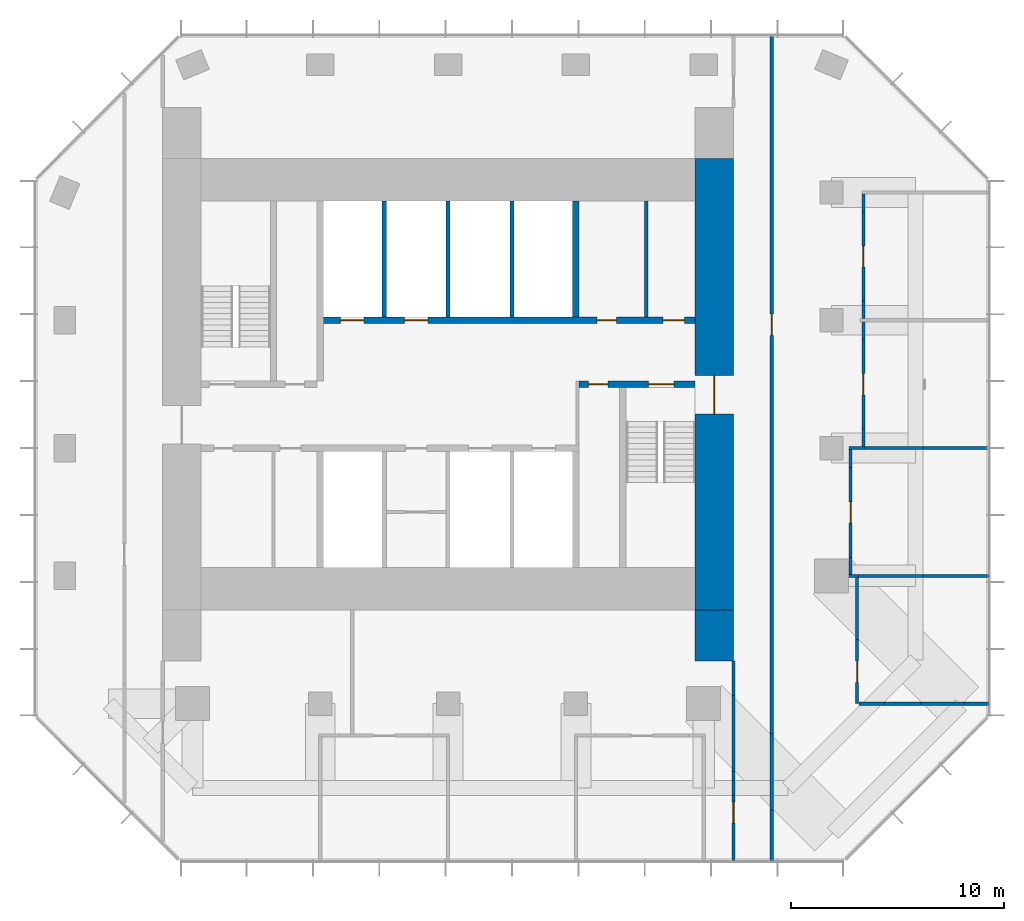
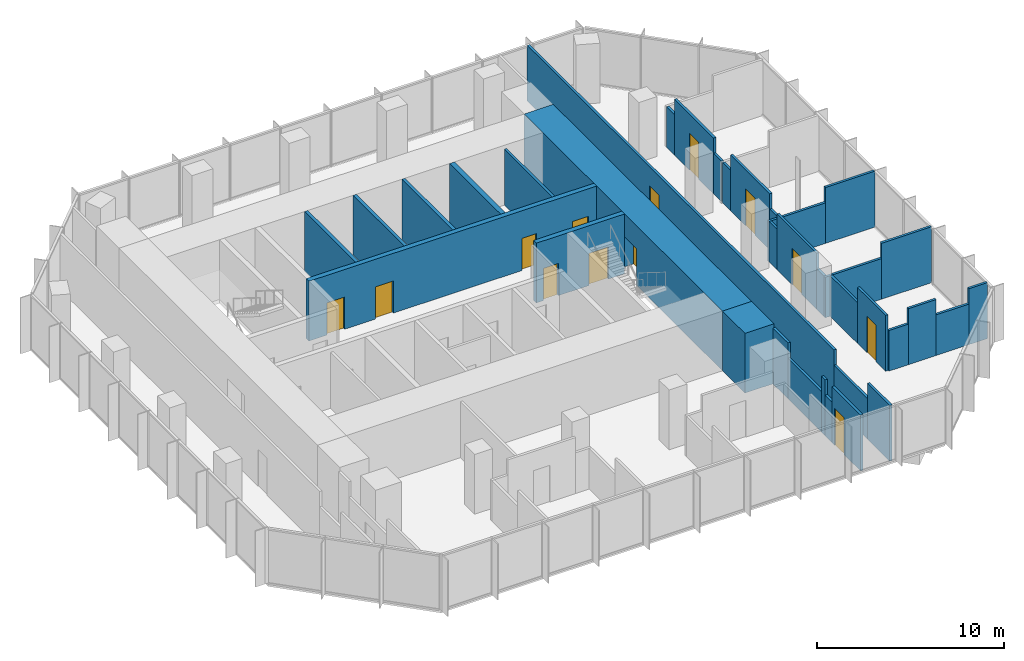
# One storey, part 9 of 11: 38 walls, 13 doors, 13 openings.
"""IFC4 building model written with IfcOpenShell, lengths in metres."""

from ifc_helpers import new_model, si_unit, direction, frame, frame_2d, origin, place, context, subcontext, project, spatial, rectangle, extrude, material, layer, layer_set, type_object, element, fill, save


model = new_model("IFC4")

# Units and contexts
model_context = context("Model", 3, precision=1e-05, world=origin(), true_north=direction((0.0, 1.0)))
body_context = subcontext(model_context, "Body", "Model", "MODEL_VIEW")
ifc_project = project(units=[si_unit("LENGTHUNIT", "METRE"), si_unit("AREAUNIT", "SQUARE_METRE"), si_unit("VOLUMEUNIT", "CUBIC_METRE"), si_unit("PLANEANGLEUNIT", "RADIAN"), si_unit("MASSUNIT", "GRAM", prefix="KILO")], contexts=[model_context])

# Site, building, storey
site_placement = place(None, origin())
site = spatial("IfcSite", under=ifc_project, at=site_placement, CompositionType="ELEMENT")
building_placement = place(site_placement, origin())
building = spatial("IfcBuilding", under=site, at=building_placement, Name="Highveld Stack Headquarters", CompositionType="ELEMENT")
storey_placement = place(building_placement, frame((0.0, 0.0, 291.800048828125)))
storey = spatial("IfcBuildingStorey", under=building, at=storey_placement, Name="L72", CompositionType="ELEMENT", Elevation=291.800048828125)

# Wall, opening, door
ifc_material_1 = material(Name="Concrete C60/75", Category="concrete")
ifc_layer_1 = layer(ifc_material_1, 1.800048828125)
ifc_layer_set_1 = layer_set([ifc_layer_1], Name="Concrete C60/75")
wall_type_1 = type_object("IfcWallType", Name="CORE WALL 1800 C60/75", PredefinedType="SHEAR", material=ifc_layer_set_1)
wall_1_placement = place(storey_placement, frame((18.5, -7.60009765625, 0.0), z_axis=(0.0, 0.0, 1.0), x_axis=(0.0, 1.0, 0.0)))
wall_1 = element("IfcWall", 1, at=wall_1_placement, inside=storey, type_object=wall_type_1, Name="Core wall E L72", PredefinedType="SHEAR", context=body_context, shape_type="SweptSolid", body=[
    extrude(rectangle(XDim=21.2001953125, YDim=1.800048828125, at=frame_2d((10.60009765625, 0.0))), origin(), (0.0, 0.0, 1.0), 3.89990234375),
])
opening_1_placement = place(wall_1_placement, frame((9.199951171875, 0.0, 0.0)))
opening_1 = element("IfcOpeningElement", 2, at=opening_1_placement, cuts=wall_1, Name="Opening L72-02", PredefinedType="OPENING", context=body_context, shape_type="SweptSolid", body=[
    extrude(rectangle(XDim=1.800048828125, YDim=2.39990234375, at=frame_2d((0.89990234375, 1.199951171875))), frame((0.0, 0.909912109375, 0.0), z_axis=(0.0, -1.0, 0.0), x_axis=(1.0, 0.0, 0.0)), (0.0, 0.0, 1.0), 1.820068359375),
])
ifc_material_2 = material(Name="Steel fire door", Category="steel")
door_type_1 = type_object("IfcDoorType", Name="LOBBY FIRE DOOR D4 1800x2400", OperationType="DOUBLE_DOOR_SINGLE_SWING", PredefinedType="DOOR", material=ifc_material_2)
door_1_placement = place(opening_1_placement, origin())
door_1 = element("IfcDoor", 3, at=door_1_placement, inside=storey, type_object=door_type_1, Name="Core east door L72", OperationType="DOUBLE_DOOR_SINGLE_SWING", OverallHeight=2.39990234375, OverallWidth=1.800048828125, PredefinedType="DOOR", context=body_context, shape_type="SweptSolid", body=[
    extrude(rectangle(XDim=1.800048828125, YDim=2.39990234375, at=frame_2d((0.89990234375, 1.199951171875))), frame((0.0, 0.02490234375, 0.0), z_axis=(0.0, -1.0, 0.0), x_axis=(1.0, 0.0, 0.0)), (0.0, 0.0, 1.0), 0.050048828125),
])
fill(opening_1, door_1)

# Wall, openings, doors
ifc_material_3 = material(Name="Concrete C60/75", Category="concrete")
ifc_layer_2 = layer(ifc_material_3, 0.300048828125)
ifc_layer_set_2 = layer_set([ifc_layer_2], Name="Concrete C60/75")
wall_type_2 = type_object("IfcWallType", Name="CORE WALL 300 C60/75", PredefinedType="SHEAR", material=ifc_layer_set_2)
wall_2_placement = place(storey_placement, frame((12.14990234375, 3.0, 0.0), z_axis=(0.0, 0.0, 1.0), x_axis=(1.0, 0.0, 0.0)))
wall_2 = element("IfcWall", 4, at=wall_2_placement, inside=storey, type_object=wall_type_2, Name="Core wall I-Y3E L72", PredefinedType="SHEAR", context=body_context, shape_type="SweptSolid", body=[
    extrude(rectangle(XDim=5.4501953125, YDim=0.300048828125, at=frame_2d((2.72509765625, 0.0))), origin(), (0.0, 0.0, 1.0), 3.89990234375),
])
opening_2_placement = place(wall_2_placement, frame((3.25, 0.0, 0.0)))
opening_2 = element("IfcOpeningElement", 5, at=opening_2_placement, cuts=wall_2, Name="Opening L72-05", PredefinedType="OPENING", context=body_context, shape_type="SweptSolid", body=[
    extrude(rectangle(XDim=1.199951171875, YDim=2.10009765625, at=frame_2d((0.60009765625, 1.050048828125))), frame((0.0, 0.159912109375, 0.0), z_axis=(0.0, -1.0, 0.0), x_axis=(1.0, 0.0, 0.0)), (0.0, 0.0, 1.0), 0.320068359375),
])
opening_3_placement = place(wall_2_placement, frame((0.449951171875, 0.0, 0.0)))
opening_3 = element("IfcOpeningElement", 6, at=opening_3_placement, cuts=wall_2, Name="Opening L72-06", PredefinedType="OPENING", context=body_context, shape_type="SweptSolid", body=[
    extrude(rectangle(XDim=0.89990234375, YDim=2.10009765625, at=frame_2d((0.449951171875, 1.050048828125))), frame((0.0, 0.159912109375, 0.0), z_axis=(0.0, -1.0, 0.0), x_axis=(1.0, 0.0, 0.0)), (0.0, 0.0, 1.0), 0.320068359375),
])
ifc_material_4 = material(Name="Steel fire door", Category="steel")
door_type_2 = type_object("IfcDoorType", Name="RISER ACCESS DOOR D5 900x2100", OperationType="SINGLE_SWING_LEFT", PredefinedType="DOOR", material=ifc_material_4)
door_2_placement = place(opening_3_placement, origin())
door_2 = element("IfcDoor", 7, at=door_2_placement, inside=storey, type_object=door_type_2, Name="Riser R2 door L72", OperationType="SINGLE_SWING_LEFT", OverallHeight=2.10009765625, OverallWidth=0.89990234375, PredefinedType="DOOR", context=body_context, shape_type="SweptSolid", body=[
    extrude(rectangle(XDim=0.89990234375, YDim=2.10009765625, at=frame_2d((0.449951171875, 1.050048828125))), frame((0.0, 0.02490234375, 0.0), z_axis=(0.0, -1.0, 0.0), x_axis=(1.0, 0.0, 0.0)), (0.0, 0.0, 1.0), 0.050048828125),
])
fill(opening_3, door_2)
ifc_material_5 = material(Name="Steel fire door", Category="steel")
door_type_3 = type_object("IfcDoorType", Name="STAIR FIRE DOOR D3 1200x2100", OperationType="SINGLE_SWING_LEFT", PredefinedType="DOOR", material=ifc_material_5)
door_3_placement = place(opening_2_placement, origin())
door_3 = element("IfcDoor", 8, at=door_3_placement, inside=storey, type_object=door_type_3, Name="Stair S2 door L72", OperationType="SINGLE_SWING_RIGHT", OverallHeight=2.10009765625, OverallWidth=1.199951171875, PredefinedType="DOOR", context=body_context, shape_type="SweptSolid", body=[
    extrude(rectangle(XDim=1.199951171875, YDim=2.10009765625, at=frame_2d((0.60009765625, 1.050048828125))), frame((0.0, 0.02490234375, 0.0), z_axis=(0.0, -1.0, 0.0), x_axis=(1.0, 0.0, 0.0)), (0.0, 0.0, 1.0), 0.050048828125),
])
fill(opening_2, door_3)

wall_3_placement = place(storey_placement, frame((-0.14990234375, 6.0, 0.0), z_axis=(0.0, 0.0, 1.0), x_axis=(1.0, 0.0, 0.0)))
wall_3 = element("IfcWall", 9, at=wall_3_placement, inside=storey, type_object=wall_type_2, Name="Core wall I-Y6 L72", PredefinedType="SHEAR", context=body_context, shape_type="SweptSolid", body=[
    extrude(rectangle(XDim=17.75, YDim=0.300048828125, at=frame_2d((8.875, 0.0))), origin(), (0.0, 0.0, 1.0), 3.89990234375),
])
opening_4_placement = place(wall_3_placement, frame((13.14990234375, 0.0, 0.0)))
opening_4 = element("IfcOpeningElement", 10, at=opening_4_placement, cuts=wall_3, Name="Opening L72-09", PredefinedType="OPENING", context=body_context, shape_type="SweptSolid", body=[
    extrude(rectangle(XDim=0.89990234375, YDim=2.10009765625, at=frame_2d((0.449951171875, 1.050048828125))), frame((0.0, 0.159912109375, 0.0), z_axis=(0.0, -1.0, 0.0), x_axis=(1.0, 0.0, 0.0)), (0.0, 0.0, 1.0), 0.320068359375),
])
opening_5_placement = place(wall_3_placement, frame((16.25, 0.0, 0.0)))
opening_5 = element("IfcOpeningElement", 11, at=opening_5_placement, cuts=wall_3, Name="Opening L72-10", PredefinedType="OPENING", context=body_context, shape_type="SweptSolid", body=[
    extrude(rectangle(XDim=1.0, YDim=2.10009765625, at=frame_2d((0.5, 1.050048828125))), frame((0.0, 0.159912109375, 0.0), z_axis=(0.0, -1.0, 0.0), x_axis=(1.0, 0.0, 0.0)), (0.0, 0.0, 1.0), 0.320068359375),
])
opening_6_placement = place(wall_3_placement, frame((1.10009765625, 0.0, 0.0)))
opening_6 = element("IfcOpeningElement", 12, at=opening_6_placement, cuts=wall_3, Name="Opening LD", PredefinedType="OPENING", context=body_context, shape_type="SweptSolid", body=[
    extrude(rectangle(XDim=1.10009765625, YDim=2.10009765625, at=frame_2d((0.550048828125, 1.050048828125))), frame((0.0, 0.159912109375, 0.0), z_axis=(0.0, -1.0, 0.0), x_axis=(1.0, 0.0, 0.0)), (0.0, 0.0, 1.0), 0.320068359375),
])
opening_7_placement = place(wall_3_placement, frame((4.10009765625, 0.0, 0.0)))
opening_7 = element("IfcOpeningElement", 13, at=opening_7_placement, cuts=wall_3, Name="Opening LD", PredefinedType="OPENING", context=body_context, shape_type="SweptSolid", body=[
    extrude(rectangle(XDim=1.10009765625, YDim=2.10009765625, at=frame_2d((0.550048828125, 1.050048828125))), frame((0.0, 0.159912109375, 0.0), z_axis=(0.0, -1.0, 0.0), x_axis=(1.0, 0.0, 0.0)), (0.0, 0.0, 1.0), 0.320068359375),
])
ifc_material_6 = material(Name="Timber door, painted", Category="wood")
door_type_4 = type_object("IfcDoorType", Name="ACCESSIBLE WC DOOR D2 1000x2100", OperationType="SINGLE_SWING_RIGHT", PredefinedType="DOOR", material=ifc_material_6)
door_4_placement = place(opening_5_placement, origin())
door_4 = element("IfcDoor", 14, at=door_4_placement, inside=storey, type_object=door_type_4, Name="Accessible WC door L72", OperationType="SINGLE_SWING_RIGHT", OverallHeight=2.10009765625, OverallWidth=1.0, PredefinedType="DOOR", context=body_context, shape_type="SweptSolid", body=[
    extrude(rectangle(XDim=1.0, YDim=2.10009765625, at=frame_2d((0.5, 1.050048828125))), frame((0.0, 0.02490234375, 0.0), z_axis=(0.0, -1.0, 0.0), x_axis=(1.0, 0.0, 0.0)), (0.0, 0.0, 1.0), 0.050048828125),
])
fill(opening_5, door_4)
ifc_material_7 = material(Name="Stainless steel lift landing door", Category="steel")
door_type_5 = type_object("IfcDoorType", Name="LIFT LANDING DOOR LD 1100x2100", OperationType="DOUBLE_DOOR_SLIDING", PredefinedType="USERDEFINED", material=ifc_material_7)
door_5_placement = place(opening_6_placement, origin())
door_5 = element("IfcDoor", 15, at=door_5_placement, inside=storey, type_object=door_type_5, Name="Lift landing door FF1 L72", ObjectType="LIFT LANDING DOOR", OperationType="DOUBLE_DOOR_SLIDING", OverallHeight=2.10009765625, OverallWidth=1.10009765625, PredefinedType="USERDEFINED", context=body_context, shape_type="SweptSolid", body=[
    extrude(rectangle(XDim=1.10009765625, YDim=2.10009765625, at=frame_2d((0.550048828125, 1.050048828125))), frame((0.0, 0.02490234375, 0.0), z_axis=(0.0, -1.0, 0.0), x_axis=(1.0, 0.0, 0.0)), (0.0, 0.0, 1.0), 0.050048828125),
])
fill(opening_6, door_5)
door_6_placement = place(opening_7_placement, origin())
door_6 = element("IfcDoor", 16, at=door_6_placement, inside=storey, type_object=door_type_5, Name="Lift landing door FF2 L72", ObjectType="LIFT LANDING DOOR", OperationType="DOUBLE_DOOR_SLIDING", OverallHeight=2.10009765625, OverallWidth=1.10009765625, PredefinedType="USERDEFINED", context=body_context, shape_type="SweptSolid", body=[
    extrude(rectangle(XDim=1.10009765625, YDim=2.10009765625, at=frame_2d((0.550048828125, 1.050048828125))), frame((0.0, 0.02490234375, 0.0), z_axis=(0.0, -1.0, 0.0), x_axis=(1.0, 0.0, 0.0)), (0.0, 0.0, 1.0), 0.050048828125),
])
fill(opening_7, door_6)
ifc_material_8 = material(Name="Timber door, painted", Category="wood")
door_type_6 = type_object("IfcDoorType", Name="WC DOOR D1 900x2100", OperationType="SINGLE_SWING_LEFT", PredefinedType="DOOR", material=ifc_material_8)
door_7_placement = place(opening_4_placement, origin())
door_7 = element("IfcDoor", 17, at=door_7_placement, inside=storey, type_object=door_type_6, Name="Male WC door L72", OperationType="SINGLE_SWING_RIGHT", OverallHeight=2.10009765625, OverallWidth=0.89990234375, PredefinedType="DOOR", context=body_context, shape_type="SweptSolid", body=[
    extrude(rectangle(XDim=0.89990234375, YDim=2.10009765625, at=frame_2d((0.449951171875, 1.050048828125))), frame((0.0, 0.02490234375, 0.0), z_axis=(0.0, -1.0, 0.0), x_axis=(1.0, 0.0, 0.0)), (0.0, 0.0, 1.0), 0.050048828125),
])
fill(opening_4, door_7)

# Walls
wall_4_placement = place(storey_placement, frame((12.0, 6.14990234375, 0.0), z_axis=(0.0, 0.0, 1.0), x_axis=(0.0, 1.0, 0.0)))
element("IfcWall", 18, at=wall_4_placement, inside=storey, type_object=wall_type_2, Name="Core wall I-X12N L72", PredefinedType="SHEAR", context=body_context, shape_type="SweptSolid", body=[
    extrude(rectangle(XDim=5.4501953125, YDim=0.300048828125, at=frame_2d((2.72509765625, 0.0))), origin(), (0.0, 0.0, 1.0), 3.89990234375),
])
ifc_material_9 = material(Name="Concrete C60/75", Category="concrete")
ifc_layer_3 = layer(ifc_material_9, 1.800048828125)
ifc_layer_set_3 = layer_set([ifc_layer_3], Name="Concrete C60/75")
wall_type_3 = type_object("IfcWallType", Name="CORE WING WALL 1800 C60/75", PredefinedType="SHEAR", material=ifc_layer_set_3)
wall_5_placement = place(storey_placement, frame((18.5, -10.0, 0.0), z_axis=(0.0, 0.0, 1.0), x_axis=(0.0, 1.0, 0.0)))
element("IfcWall", 19, at=wall_5_placement, inside=storey, type_object=wall_type_3, Name="Core wing wall ES L72", PredefinedType="SHEAR", context=body_context, shape_type="SweptSolid", body=[
    extrude(rectangle(XDim=2.39990234375, YDim=1.800048828125, at=frame_2d((1.199951171875, 0.0))), origin(), (0.0, 0.0, 1.0), 3.89990234375),
])
ifc_material_10 = material(Name="Concrete blockwork, fair-faced", Category="masonry")
ifc_layer_4 = layer(ifc_material_10, 0.199951171875)
ifc_layer_set_4 = layer_set([ifc_layer_4], Name="Concrete blockwork, fair-faced")
wall_type_4 = type_object("IfcWallType", Name="LIFT SHAFT ENCLOSURE WALL 200 BLOCKWORK", PredefinedType="SOLIDWALL", material=ifc_layer_set_4)
for number, where, z_axis, x_axis, name in (
    (20, (3.0, 6.14990234375, 0.0), (0.0, 0.0, 1.0), (0.0, 1.0, 0.0), "Lift shaft wall L72"),
    (21, (6.0, 6.14990234375, 0.0), (0.0, 0.0, 1.0), (0.0, 1.0, 0.0), "Lift shaft wall L72"),
    (22, (9.0, 6.14990234375, 0.0), (0.0, 0.0, 1.0), (0.0, 1.0, 0.0), "Lift shaft wall L72"),
):
    element("IfcWall", number, at=place(storey_placement, frame(where, z_axis=z_axis, x_axis=x_axis)), inside=storey, type_object=wall_type_4, Name=name, PredefinedType="SOLIDWALL", context=body_context, shape_type="SweptSolid", body=[
        extrude(rectangle(XDim=5.4501953125, YDim=0.199951171875, at=frame_2d((2.72509765625, 0.0))), origin(), (0.0, 0.0, 1.0), 3.89990234375),
    ])
ifc_material_11 = material(Name="Gypsum plasterboard on steel studs", Category="steel")
ifc_layer_5 = layer(ifc_material_11, 0.14990234375)
ifc_layer_set_5 = layer_set([ifc_layer_5], Name="Gypsum plasterboard on steel studs")
wall_type_5 = type_object("IfcWallType", Name="PARTITION 150 PLASTERBOARD", PredefinedType="PARTITIONING", material=ifc_layer_set_5)
wall_6_placement = place(storey_placement, frame((25.284912109375, -12.0, 0.0), z_axis=(0.0, 0.0, 1.0), x_axis=(1.0, 0.0, 0.0)))
element("IfcWall", 23, at=wall_6_placement, inside=storey, type_object=wall_type_5, Name="Partition Tea kitchen L72", PredefinedType="PARTITIONING", context=body_context, shape_type="SweptSolid", body=[
    extrude(rectangle(XDim=1.205078125, YDim=0.14990234375, at=frame_2d((0.6025390625, 0.0))), origin(), (0.0, 0.0, 1.0), 2.64990234375),
])
wall_7_placement = place(storey_placement, frame((26.489990234375, -12.0, 0.0), z_axis=(0.0, 0.0, 1.0), x_axis=(1.0, 0.0, 0.0)))
element("IfcWall", 24, at=wall_7_placement, inside=storey, type_object=wall_type_5, Name="Partition Tea kitchen L72", PredefinedType="PARTITIONING", context=body_context, shape_type="SweptSolid", body=[
    extrude(rectangle(XDim=1.718017578125, YDim=0.14990234375, at=frame_2d((0.85888671875, 0.0))), origin(), (0.0, 0.0, 1.0), 3.64990234375),
])
wall_8_placement = place(storey_placement, frame((28.2080078125, -12.0, 0.0), z_axis=(0.0, 0.0, 1.0), x_axis=(1.0, 0.0, 0.0)))
element("IfcWall", 25, at=wall_8_placement, inside=storey, type_object=wall_type_5, Name="Partition Tea kitchen L72", PredefinedType="PARTITIONING", context=body_context, shape_type="SweptSolid", body=[
    extrude(rectangle(XDim=2.029052734375, YDim=0.14990234375, at=frame_2d((1.0146484375, 0.0))), origin(), (0.0, 0.0, 1.0), 2.64990234375),
])
wall_9_placement = place(storey_placement, frame((30.237060546875, -12.0, 0.0), z_axis=(0.0, 0.0, 1.0), x_axis=(1.0, 0.0, 0.0)))
element("IfcWall", 26, at=wall_9_placement, inside=storey, type_object=wall_type_5, Name="Partition Tea kitchen L72", PredefinedType="PARTITIONING", context=body_context, shape_type="SweptSolid", body=[
    extrude(rectangle(XDim=1.137939453125, YDim=0.14990234375, at=frame_2d((0.56884765625, 0.0))), origin(), (0.0, 0.0, 1.0), 3.64990234375),
])
wall_10_placement = place(storey_placement, frame((24.824951171875, -6.0, 0.0), z_axis=(0.0, 0.0, 1.0), x_axis=(1.0, 0.0, 0.0)))
element("IfcWall", 27, at=wall_10_placement, inside=storey, type_object=wall_type_5, Name="Partition Interview room L72", PredefinedType="PARTITIONING", context=body_context, shape_type="SweptSolid", body=[
    extrude(rectangle(XDim=0.449951171875, YDim=0.14990234375, at=frame_2d((0.22509765625, 0.0))), origin(), (0.0, 0.0, 1.0), 2.64990234375),
])
wall_11_placement = place(storey_placement, frame((25.199951171875, -6.0, 0.0), z_axis=(0.0, 0.0, 1.0), x_axis=(1.0, 0.0, 0.0)))
element("IfcWall", 28, at=wall_11_placement, inside=storey, type_object=wall_type_5, Name="Partition Interview room / Tea kitchen L72", PredefinedType="PARTITIONING", context=body_context, shape_type="SweptSolid", body=[
    extrude(rectangle(XDim=3.110107421875, YDim=0.14990234375, at=frame_2d((1.55517578125, 0.0))), origin(), (0.0, 0.0, 1.0), 2.64990234375),
])
wall_12_placement = place(storey_placement, frame((28.31005859375, -6.0, 0.0), z_axis=(0.0, 0.0, 1.0), x_axis=(1.0, 0.0, 0.0)))
element("IfcWall", 29, at=wall_12_placement, inside=storey, type_object=wall_type_5, Name="Partition Interview room / Tea kitchen L72", PredefinedType="PARTITIONING", context=body_context, shape_type="SweptSolid", body=[
    extrude(rectangle(XDim=3.06494140625, YDim=0.14990234375, at=frame_2d((1.532470703125, 0.0))), origin(), (0.0, 0.0, 1.0), 3.64990234375),
])
wall_13_placement = place(storey_placement, frame((24.824951171875, 0.0, 0.0), z_axis=(0.0, 0.0, 1.0), x_axis=(1.0, 0.0, 0.0)))
element("IfcWall", 30, at=wall_13_placement, inside=storey, type_object=wall_type_5, Name="Partition Interview room L72", PredefinedType="PARTITIONING", context=body_context, shape_type="SweptSolid", body=[
    extrude(rectangle(XDim=0.75, YDim=0.14990234375, at=frame_2d((0.375, 0.0))), origin(), (0.0, 0.0, 1.0), 2.64990234375),
])
wall_14_placement = place(storey_placement, frame((25.5, 0.0, 0.0), z_axis=(0.0, 0.0, 1.0), x_axis=(1.0, 0.0, 0.0)))
element("IfcWall", 31, at=wall_14_placement, inside=storey, type_object=wall_type_5, Name="Partition Interview room / Quiet room L72", PredefinedType="PARTITIONING", context=body_context, shape_type="SweptSolid", body=[
    extrude(rectangle(XDim=2.81005859375, YDim=0.14990234375, at=frame_2d((1.405029296875, 0.0))), origin(), (0.0, 0.0, 1.0), 2.64990234375),
])
wall_15_placement = place(storey_placement, frame((28.31005859375, 0.0, 0.0), z_axis=(0.0, 0.0, 1.0), x_axis=(1.0, 0.0, 0.0)))
element("IfcWall", 32, at=wall_15_placement, inside=storey, type_object=wall_type_5, Name="Partition Interview room / Quiet room L72", PredefinedType="PARTITIONING", context=body_context, shape_type="SweptSolid", body=[
    extrude(rectangle(XDim=3.0400390625, YDim=0.14990234375, at=frame_2d((1.52001953125, 0.0))), origin(), (0.0, 0.0, 1.0), 3.64990234375),
])
wall_16_placement = place(storey_placement, frame((24.89990234375, -5.925048828125, 0.0), z_axis=(0.0, 0.0, 1.0), x_axis=(0.0, 1.0, 0.0)))
element("IfcWall", 33, at=wall_16_placement, inside=storey, type_object=wall_type_5, Name="Partition Interview room L72", PredefinedType="PARTITIONING", context=body_context, shape_type="SweptSolid", body=[
    extrude(rectangle(XDim=0.783447265625, YDim=0.14990234375, at=frame_2d((0.3916015625, 0.0))), origin(), (0.0, 0.0, 1.0), 2.64990234375),
])

# Wall, opening, door
wall_17_placement = place(storey_placement, frame((24.89990234375, -5.1416015625, 0.0), z_axis=(0.0, 0.0, 1.0), x_axis=(0.0, 1.0, 0.0)))
wall_17 = element("IfcWall", 34, at=wall_17_placement, inside=storey, type_object=wall_type_5, Name="Partition Interview room L72", PredefinedType="PARTITIONING", context=body_context, shape_type="SweptSolid", body=[
    extrude(rectangle(XDim=4.231689453125, YDim=0.14990234375, at=frame_2d((2.11572265625, 0.0))), origin(), (0.0, 0.0, 1.0), 3.64990234375),
])
opening_8_placement = place(wall_17_placement, frame((1.61572265625, 0.0, 0.0)))
opening_8 = element("IfcOpeningElement", 35, at=opening_8_placement, cuts=wall_17, Name="Opening L72-16", PredefinedType="OPENING", context=body_context, shape_type="SweptSolid", body=[
    extrude(rectangle(XDim=1.0, YDim=2.39990234375, at=frame_2d((0.5, 1.199951171875))), frame((0.0, 0.0849609375, 0.0), z_axis=(0.0, -1.0, 0.0), x_axis=(1.0, 0.0, 0.0)), (0.0, 0.0, 1.0), 0.169921875),
])
ifc_material_12 = material(Name="Timber door, oiled ash", Category="wood")
door_type_7 = type_object("IfcDoorType", Name="ROOM DOOR D11 1000x2400", OperationType="SINGLE_SWING_LEFT", PredefinedType="DOOR", material=ifc_material_12)
door_8_placement = place(opening_8_placement, origin())
door_8 = element("IfcDoor", 36, at=door_8_placement, inside=storey, type_object=door_type_7, Name="Interview room door 1 L72", OperationType="SINGLE_SWING_LEFT", OverallHeight=2.39990234375, OverallWidth=1.0, PredefinedType="DOOR", context=body_context, shape_type="SweptSolid", body=[
    extrude(rectangle(XDim=1.0, YDim=2.39990234375, at=frame_2d((0.5, 1.199951171875))), frame((0.0, 0.02490234375, 0.0), z_axis=(0.0, -1.0, 0.0), x_axis=(1.0, 0.0, 0.0)), (0.0, 0.0, 1.0), 0.050048828125),
])
fill(opening_8, door_8)

# Wall
wall_18_placement = place(storey_placement, frame((24.89990234375, -0.909912109375, 0.0), z_axis=(0.0, 0.0, 1.0), x_axis=(0.0, 1.0, 0.0)))
element("IfcWall", 37, at=wall_18_placement, inside=storey, type_object=wall_type_5, Name="Partition Interview room L72", PredefinedType="PARTITIONING", context=body_context, shape_type="SweptSolid", body=[
    extrude(rectangle(XDim=0.8349609375, YDim=0.14990234375, at=frame_2d((0.41748046875, 0.0))), origin(), (0.0, 0.0, 1.0), 2.64990234375),
])

# Wall, opening, door
wall_19_placement = place(storey_placement, frame((25.199951171875, -12.0, 0.0), z_axis=(0.0, 0.0, 1.0), x_axis=(0.0, 1.0, 0.0)))
wall_19 = element("IfcWall", 38, at=wall_19_placement, inside=storey, type_object=wall_type_5, Name="Partition Tea kitchen L72", PredefinedType="PARTITIONING", context=body_context, shape_type="SweptSolid", body=[
    extrude(rectangle(XDim=3.0078125, YDim=0.14990234375, at=frame_2d((1.50390625, 0.0))), origin(), (0.0, 0.0, 1.0), 3.64990234375),
])
opening_9_placement = place(wall_19_placement, frame((1.00390625, 0.0, 0.0)))
opening_9 = element("IfcOpeningElement", 39, at=opening_9_placement, cuts=wall_19, Name="Opening L72-15", PredefinedType="OPENING", context=body_context, shape_type="SweptSolid", body=[
    extrude(rectangle(XDim=1.0, YDim=2.39990234375, at=frame_2d((0.5, 1.199951171875))), frame((0.0, 0.0849609375, 0.0), z_axis=(0.0, -1.0, 0.0), x_axis=(1.0, 0.0, 0.0)), (0.0, 0.0, 1.0), 0.169921875),
])
door_9_placement = place(opening_9_placement, origin())
door_9 = element("IfcDoor", 40, at=door_9_placement, inside=storey, type_object=door_type_7, Name="Tea kitchen door 1 L72", OperationType="SINGLE_SWING_RIGHT", OverallHeight=2.39990234375, OverallWidth=1.0, PredefinedType="DOOR", context=body_context, shape_type="SweptSolid", body=[
    extrude(rectangle(XDim=1.0, YDim=2.39990234375, at=frame_2d((0.5, 1.199951171875))), frame((0.0, 0.02490234375, 0.0), z_axis=(0.0, -1.0, 0.0), x_axis=(1.0, 0.0, 0.0)), (0.0, 0.0, 1.0), 0.050048828125),
])
fill(opening_9, door_9)

# Walls
wall_20_placement = place(storey_placement, frame((25.199951171875, -8.9921875, 0.0), z_axis=(0.0, 0.0, 1.0), x_axis=(0.0, 1.0, 0.0)))
element("IfcWall", 41, at=wall_20_placement, inside=storey, type_object=wall_type_5, Name="Partition Tea kitchen L72", PredefinedType="PARTITIONING", context=body_context, shape_type="SweptSolid", body=[
    extrude(rectangle(XDim=2.917236328125, YDim=0.14990234375, at=frame_2d((1.45849609375, 0.0))), origin(), (0.0, 0.0, 1.0), 2.64990234375),
])
wall_21_placement = place(storey_placement, frame((25.5, 0.074951171875, 0.0), z_axis=(0.0, 0.0, 1.0), x_axis=(0.0, 1.0, 0.0)))
element("IfcWall", 42, at=wall_21_placement, inside=storey, type_object=wall_type_5, Name="Partition Quiet room L72", PredefinedType="PARTITIONING", context=body_context, shape_type="SweptSolid", body=[
    extrude(rectangle(XDim=0.8349609375, YDim=0.14990234375, at=frame_2d((0.41748046875, 0.0))), origin(), (0.0, 0.0, 1.0), 2.64990234375),
])

# Wall, opening, door
wall_22_placement = place(storey_placement, frame((25.5, 0.909912109375, 0.0), z_axis=(0.0, 0.0, 1.0), x_axis=(0.0, 1.0, 0.0)))
wall_22 = element("IfcWall", 43, at=wall_22_placement, inside=storey, type_object=wall_type_5, Name="Partition Quiet room L72", PredefinedType="PARTITIONING", context=body_context, shape_type="SweptSolid", body=[
    extrude(rectangle(XDim=4.18017578125, YDim=0.14990234375, at=frame_2d((2.090087890625, 0.0))), origin(), (0.0, 0.0, 1.0), 3.64990234375),
])
opening_10_placement = place(wall_22_placement, frame((1.590087890625, 0.0, 0.0)))
opening_10 = element("IfcOpeningElement", 44, at=opening_10_placement, cuts=wall_22, Name="Opening L72-17", PredefinedType="OPENING", context=body_context, shape_type="SweptSolid", body=[
    extrude(rectangle(XDim=1.0, YDim=2.39990234375, at=frame_2d((0.5, 1.199951171875))), frame((0.0, 0.0849609375, 0.0), z_axis=(0.0, -1.0, 0.0), x_axis=(1.0, 0.0, 0.0)), (0.0, 0.0, 1.0), 0.169921875),
])
door_10_placement = place(opening_10_placement, origin())
door_10 = element("IfcDoor", 45, at=door_10_placement, inside=storey, type_object=door_type_7, Name="Quiet room door 1 L72", OperationType="SINGLE_SWING_LEFT", OverallHeight=2.39990234375, OverallWidth=1.0, PredefinedType="DOOR", context=body_context, shape_type="SweptSolid", body=[
    extrude(rectangle(XDim=1.0, YDim=2.39990234375, at=frame_2d((0.5, 1.199951171875))), frame((0.0, 0.02490234375, 0.0), z_axis=(0.0, -1.0, 0.0), x_axis=(1.0, 0.0, 0.0)), (0.0, 0.0, 1.0), 0.050048828125),
])
fill(opening_10, door_10)

# Walls
for number, where, z_axis, x_axis, name in (
    (46, (25.5, 5.090087890625, 0.0), (0.0, 0.0, 1.0), (0.0, 1.0, 0.0), "Partition Quiet room L72"),
    (47, (25.5, 6.074951171875, 0.0), (0.0, 0.0, 1.0), (0.0, 1.0, 0.0), "Partition Quiet room L72"),
):
    element("IfcWall", number, at=place(storey_placement, frame(where, z_axis=z_axis, x_axis=x_axis)), inside=storey, type_object=wall_type_5, Name=name, PredefinedType="PARTITIONING", context=body_context, shape_type="SweptSolid", body=[
        extrude(rectangle(XDim=0.8349609375, YDim=0.14990234375, at=frame_2d((0.41748046875, 0.0))), origin(), (0.0, 0.0, 1.0), 2.64990234375),
    ])

# Wall, opening, door
wall_23_placement = place(storey_placement, frame((25.5, 6.909912109375, 0.0), z_axis=(0.0, 0.0, 1.0), x_axis=(0.0, 1.0, 0.0)))
wall_23 = element("IfcWall", 48, at=wall_23_placement, inside=storey, type_object=wall_type_5, Name="Partition Quiet room L72", PredefinedType="PARTITIONING", context=body_context, shape_type="SweptSolid", body=[
    extrude(rectangle(XDim=4.18017578125, YDim=0.14990234375, at=frame_2d((2.090087890625, 0.0))), origin(), (0.0, 0.0, 1.0), 3.64990234375),
])
opening_11_placement = place(wall_23_placement, frame((1.590087890625, 0.0, 0.0)))
opening_11 = element("IfcOpeningElement", 49, at=opening_11_placement, cuts=wall_23, Name="Opening L72-18", PredefinedType="OPENING", context=body_context, shape_type="SweptSolid", body=[
    extrude(rectangle(XDim=1.0, YDim=2.39990234375, at=frame_2d((0.5, 1.199951171875))), frame((0.0, 0.0849609375, 0.0), z_axis=(0.0, -1.0, 0.0), x_axis=(1.0, 0.0, 0.0)), (0.0, 0.0, 1.0), 0.169921875),
])
door_11_placement = place(opening_11_placement, origin())
door_11 = element("IfcDoor", 50, at=door_11_placement, inside=storey, type_object=door_type_7, Name="Quiet room door 1 L72", OperationType="SINGLE_SWING_RIGHT", OverallHeight=2.39990234375, OverallWidth=1.0, PredefinedType="DOOR", context=body_context, shape_type="SweptSolid", body=[
    extrude(rectangle(XDim=1.0, YDim=2.39990234375, at=frame_2d((0.5, 1.199951171875))), frame((0.0, 0.02490234375, 0.0), z_axis=(0.0, -1.0, 0.0), x_axis=(1.0, 0.0, 0.0)), (0.0, 0.0, 1.0), 0.050048828125),
])
fill(opening_11, door_11)

# Wall
wall_24_placement = place(storey_placement, frame((25.5, 11.090087890625, 0.0), z_axis=(0.0, 0.0, 1.0), x_axis=(0.0, 1.0, 0.0)))
element("IfcWall", 51, at=wall_24_placement, inside=storey, type_object=wall_type_5, Name="Partition Quiet room L72", PredefinedType="PARTITIONING", context=body_context, shape_type="SweptSolid", body=[
    extrude(rectangle(XDim=0.8349609375, YDim=0.14990234375, at=frame_2d((0.41748046875, 0.0))), origin(), (0.0, 0.0, 1.0), 2.64990234375),
])

# Wall, opening, door
wall_25_placement = place(storey_placement, frame((19.39990234375, -19.375, 0.0), z_axis=(0.0, 0.0, 1.0), x_axis=(0.0, 1.0, 0.0)))
wall_25 = element("IfcWall", 52, at=wall_25_placement, inside=storey, type_object=wall_type_5, Name="Partition office neighbourhood L72", PredefinedType="PARTITIONING", context=body_context, shape_type="SweptSolid", body=[
    extrude(rectangle(XDim=3.06494140625, YDim=0.14990234375, at=frame_2d((1.532470703125, 0.0))), origin(), (0.0, 0.0, 1.0), 3.64990234375),
])
opening_12_placement = place(wall_25_placement, frame((1.764892578125, 0.0, 0.0)))
opening_12 = element("IfcOpeningElement", 53, at=opening_12_placement, cuts=wall_25, Name="Opening L72-19", PredefinedType="OPENING", context=body_context, shape_type="SweptSolid", body=[
    extrude(rectangle(XDim=1.0, YDim=2.39990234375, at=frame_2d((0.5, 1.199951171875))), frame((0.0, 0.0849609375, 0.0), z_axis=(0.0, -1.0, 0.0), x_axis=(1.0, 0.0, 0.0)), (0.0, 0.0, 1.0), 0.169921875),
])
door_12_placement = place(opening_12_placement, origin())
door_12 = element("IfcDoor", 54, at=door_12_placement, inside=storey, type_object=door_type_7, Name="Office neighbourhood door L72", OperationType="SINGLE_SWING_RIGHT", OverallHeight=2.39990234375, OverallWidth=1.0, PredefinedType="DOOR", context=body_context, shape_type="SweptSolid", body=[
    extrude(rectangle(XDim=1.0, YDim=2.39990234375, at=frame_2d((0.5, 1.199951171875))), frame((0.0, 0.02490234375, 0.0), z_axis=(0.0, -1.0, 0.0), x_axis=(1.0, 0.0, 0.0)), (0.0, 0.0, 1.0), 0.050048828125),
])
fill(opening_12, door_12)

# Walls
wall_26_placement = place(storey_placement, frame((19.39990234375, -16.31005859375, 0.0), z_axis=(0.0, 0.0, 1.0), x_axis=(0.0, 1.0, 0.0)))
element("IfcWall", 55, at=wall_26_placement, inside=storey, type_object=wall_type_5, Name="Partition office neighbourhood L72", PredefinedType="PARTITIONING", context=body_context, shape_type="SweptSolid", body=[
    extrude(rectangle(XDim=0.719970703125, YDim=0.14990234375, at=frame_2d((0.35986328125, 0.0))), origin(), (0.0, 0.0, 1.0), 2.64990234375),
])
wall_27_placement = place(storey_placement, frame((19.39990234375, -15.590087890625, 0.0), z_axis=(0.0, 0.0, 1.0), x_axis=(0.0, 1.0, 0.0)))
element("IfcWall", 56, at=wall_27_placement, inside=storey, type_object=wall_type_5, Name="Partition office neighbourhood L72", PredefinedType="PARTITIONING", context=body_context, shape_type="SweptSolid", body=[
    extrude(rectangle(XDim=0.39794921875, YDim=0.14990234375, at=frame_2d((0.198974609375, 0.0))), origin(), (0.0, 0.0, 1.0), 3.64990234375),
])
wall_28_placement = place(storey_placement, frame((19.39990234375, -15.192138671875, 0.0), z_axis=(0.0, 0.0, 1.0), x_axis=(0.0, 1.0, 0.0)))
element("IfcWall", 57, at=wall_28_placement, inside=storey, type_object=wall_type_5, Name="Partition office neighbourhood L72", PredefinedType="PARTITIONING", context=body_context, shape_type="SweptSolid", body=[
    extrude(rectangle(XDim=3.584228515625, YDim=0.14990234375, at=frame_2d((1.7919921875, 0.0))), origin(), (0.0, 0.0, 1.0), 2.64990234375),
])
wall_29_placement = place(storey_placement, frame((19.39990234375, -11.60791015625, 0.0), z_axis=(0.0, 0.0, 1.0), x_axis=(0.0, 1.0, 0.0)))
element("IfcWall", 58, at=wall_29_placement, inside=storey, type_object=wall_type_5, Name="Partition office neighbourhood L72", PredefinedType="PARTITIONING", context=body_context, shape_type="SweptSolid", body=[
    extrude(rectangle(XDim=1.60791015625, YDim=0.14990234375, at=frame_2d((0.803955078125, 0.0))), origin(), (0.0, 0.0, 1.0), 3.64990234375),
])
wall_30_placement = place(storey_placement, frame((21.199951171875, -19.375, 0.0), z_axis=(0.0, 0.0, 1.0), x_axis=(0.0, 1.0, 0.0)))
element("IfcWall", 59, at=wall_30_placement, inside=storey, type_object=wall_type_5, Name="Partition office neighbourhood L72", PredefinedType="PARTITIONING", context=body_context, shape_type="SweptSolid", body=[
    extrude(rectangle(XDim=2.3828125, YDim=0.14990234375, at=frame_2d((1.19140625, 0.0))), origin(), (0.0, 0.0, 1.0), 3.64990234375),
])
wall_31_placement = place(storey_placement, frame((21.199951171875, -16.9921875, 0.0), z_axis=(0.0, 0.0, 1.0), x_axis=(0.0, 1.0, 0.0)))
element("IfcWall", 60, at=wall_31_placement, inside=storey, type_object=wall_type_5, Name="Partition office neighbourhood L72", PredefinedType="PARTITIONING", context=body_context, shape_type="SweptSolid", body=[
    extrude(rectangle(XDim=3.584228515625, YDim=0.14990234375, at=frame_2d((1.7919921875, 0.0))), origin(), (0.0, 0.0, 1.0), 2.64990234375),
])

# Wall, opening, door
wall_32_placement = place(storey_placement, frame((21.199951171875, -13.407958984375, 0.0), z_axis=(0.0, 0.0, 1.0), x_axis=(0.0, 1.0, 0.0)))
wall_32 = element("IfcWall", 61, at=wall_32_placement, inside=storey, type_object=wall_type_5, Name="Partition office neighbourhood L72", PredefinedType="PARTITIONING", context=body_context, shape_type="SweptSolid", body=[
    extrude(rectangle(XDim=32.782958984375, YDim=0.14990234375, at=frame_2d((16.3916015625, 0.0))), origin(), (0.0, 0.0, 1.0), 3.64990234375),
])
opening_13_placement = place(wall_32_placement, frame((18.697998046875, 0.0, 0.0)))
opening_13 = element("IfcOpeningElement", 62, at=opening_13_placement, cuts=wall_32, Name="Opening L72-21", PredefinedType="OPENING", context=body_context, shape_type="SweptSolid", body=[
    extrude(rectangle(XDim=1.0, YDim=2.39990234375, at=frame_2d((0.5, 1.199951171875))), frame((0.0, 0.0849609375, 0.0), z_axis=(0.0, -1.0, 0.0), x_axis=(1.0, 0.0, 0.0)), (0.0, 0.0, 1.0), 0.169921875),
])
door_13_placement = place(opening_13_placement, origin())
door_13 = element("IfcDoor", 63, at=door_13_placement, inside=storey, type_object=door_type_7, Name="Office neighbourhood door L72", OperationType="SINGLE_SWING_RIGHT", OverallHeight=2.39990234375, OverallWidth=1.0, PredefinedType="DOOR", context=body_context, shape_type="SweptSolid", body=[
    extrude(rectangle(XDim=1.0, YDim=2.39990234375, at=frame_2d((0.5, 1.199951171875))), frame((0.0, 0.02490234375, 0.0), z_axis=(0.0, -1.0, 0.0), x_axis=(1.0, 0.0, 0.0)), (0.0, 0.0, 1.0), 0.050048828125),
])
fill(opening_13, door_13)

# Wall
ifc_material_13 = material(Name="Concrete blockwork, tiled", Category="masonry")
ifc_layer_6 = layer(ifc_material_13, 0.14990234375)
ifc_layer_set_6 = layer_set([ifc_layer_6], Name="Concrete blockwork, tiled")
wall_type_6 = type_object("IfcWallType", Name="WC PARTITION 150", PredefinedType="PLUMBINGWALL", material=ifc_layer_set_6)
wall_33_placement = place(storey_placement, frame((15.300048828125, 6.14990234375, 0.0), z_axis=(0.0, 0.0, 1.0), x_axis=(0.0, 1.0, 0.0)))
element("IfcWall", 64, at=wall_33_placement, inside=storey, type_object=wall_type_6, Name="Toilet partition L72", PredefinedType="PLUMBINGWALL", context=body_context, shape_type="SweptSolid", body=[
    extrude(rectangle(XDim=5.4501953125, YDim=0.14990234375, at=frame_2d((2.72509765625, 0.0))), origin(), (0.0, 0.0, 1.0), 3.64990234375),
])

save(model, "model.ifc")
